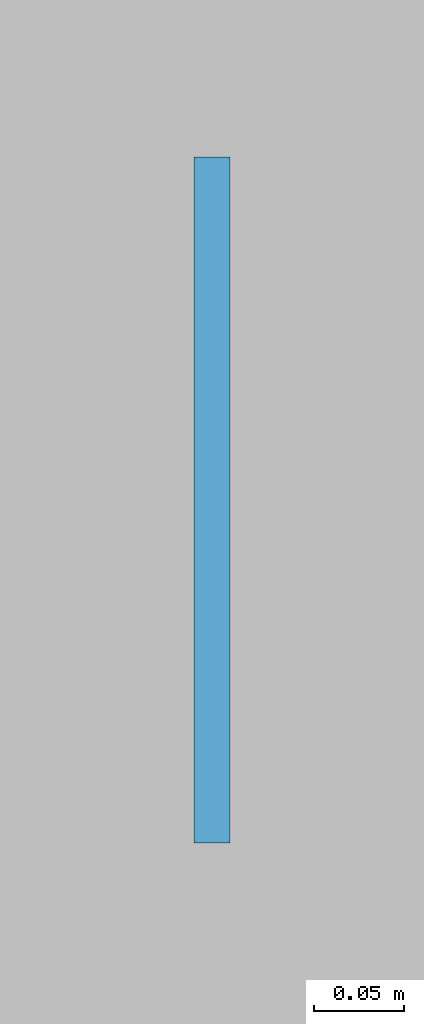
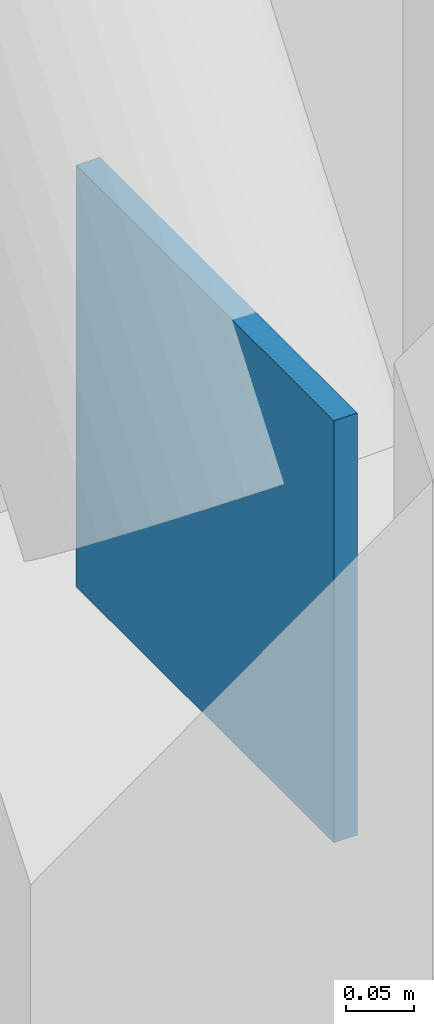
# One storey, part 64 of 85: 1 plate.
"""IFC4 building model written with IfcOpenShell, lengths in metres."""

from ifc_helpers import new_model, si_unit, direction, frame, origin, origin_2d, place, context, subcontext, project, spatial, rectangle, extrude, material, layer, layer_set, type_object, element, save


model = new_model("IFC4")

# Units and contexts
model_context = context("Model", 3, precision=1e-05, world=origin(), true_north=direction((0.0, 1.0)))
body_context = subcontext(model_context, "Body", "Model", "MODEL_VIEW")
ifc_project = project(units=[si_unit("LENGTHUNIT", "METRE"), si_unit("AREAUNIT", "SQUARE_METRE"), si_unit("VOLUMEUNIT", "CUBIC_METRE"), si_unit("PLANEANGLEUNIT", "RADIAN"), si_unit("MASSUNIT", "GRAM", prefix="KILO")], contexts=[model_context])

# Site, building, storey
site_placement = place(None, origin())
site = spatial("IfcSite", under=ifc_project, at=site_placement, CompositionType="ELEMENT")
building_placement = place(site_placement, origin())
building = spatial("IfcBuilding", under=site, at=building_placement, Name="Candilejo Ridge Gondola Terminal", CompositionType="ELEMENT")
storey_placement = place(building_placement, frame((0.0, 0.0, 4.5)))
storey = spatial("IfcBuildingStorey", under=building, at=storey_placement, Name="L01", CompositionType="ELEMENT", Elevation=4.5)

# Plate
ifc_material = material(Name="Steel ASTM A572 Grade 50", Category="steel")
ifc_layer = layer(ifc_material, 0.02001953125)
ifc_layer_set = layer_set([ifc_layer], Name="STR-NODE-PLATE-380X380X20")
plate_type = type_object("IfcPlateType", Name="STR-NODE-PLATE-380X380X20", PredefinedType="USERDEFINED", material=ifc_layer_set)
plate_placement = place(storey_placement, frame((133.89990234375, 36.699951171875, 0.06005859375), z_axis=(0.0, 0.0, 1.0), x_axis=(1.0, 0.0, 0.0)))
element("IfcPlate", 1, at=plate_placement, inside=storey, type_object=plate_type, Name="Chevron gusset plate 218", ObjectType="NODE PLATE", PredefinedType="USERDEFINED", context=body_context, shape_type="SweptSolid", body=[
    extrude(rectangle(XDim=0.02001953125, YDim=0.3798828125, at=origin_2d()), origin(), (0.0, 0.0, 1.0), 0.3798828125),
])

save(model, "model.ifc")
